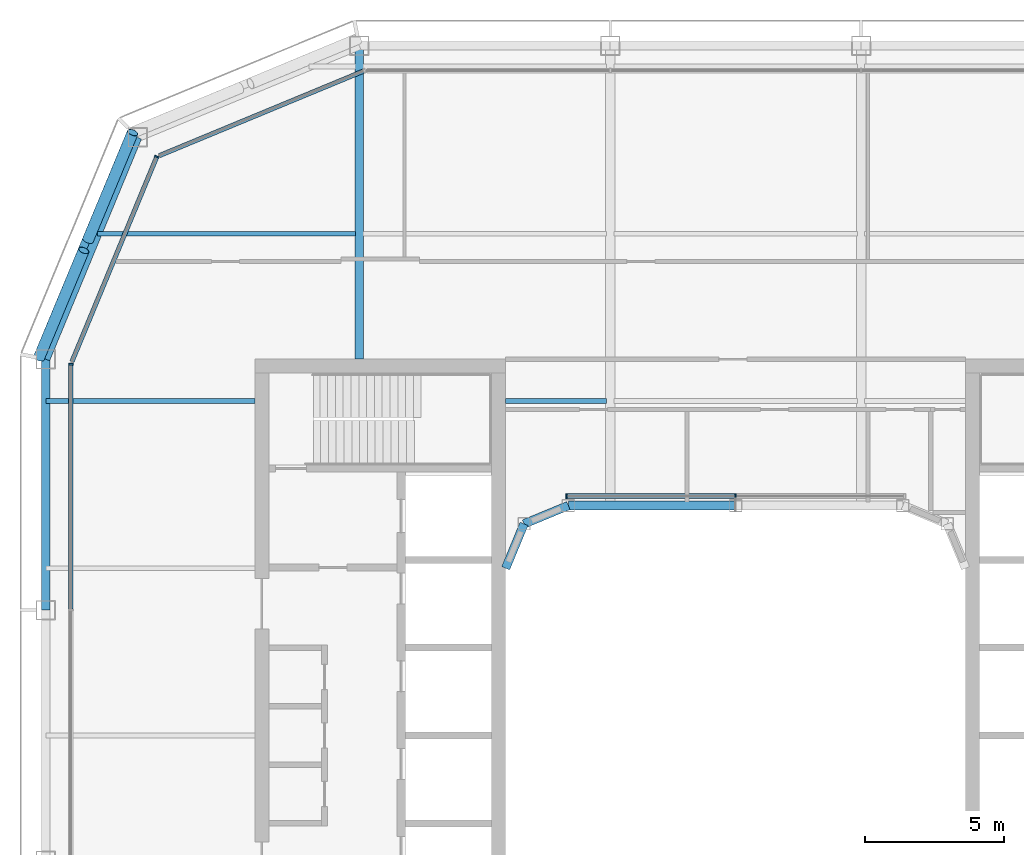
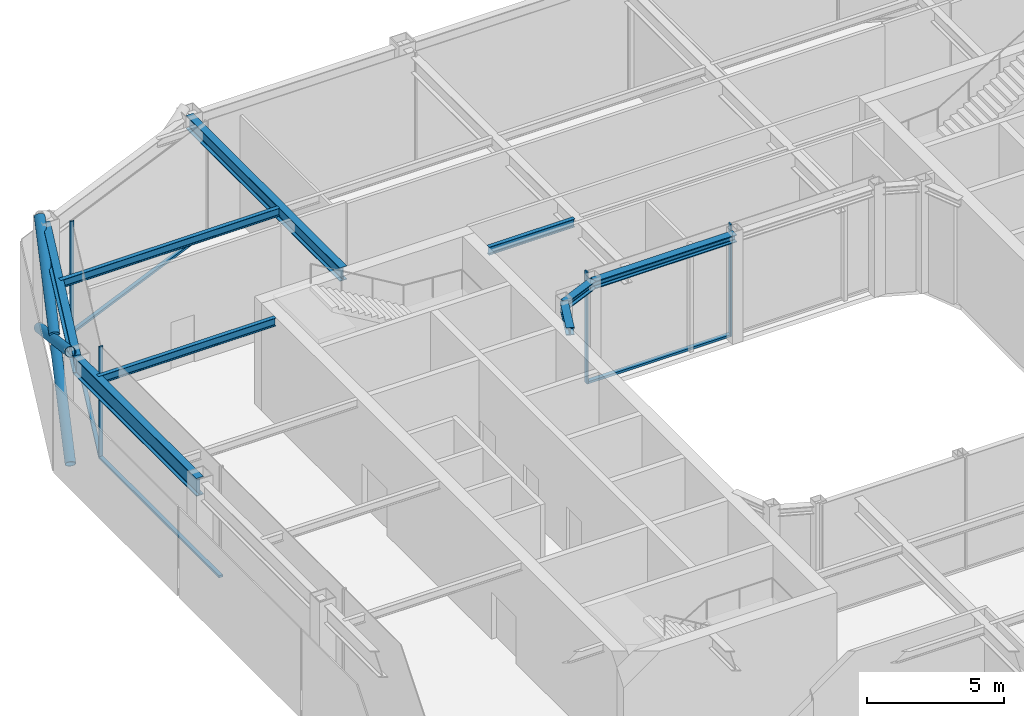
# One storey, part 7 of 17: 11 members, 9 beams, 4 elements without a shape of their own.
"""IFC4 building model written with IfcOpenShell, lengths in metres."""

from ifc_helpers import new_model, si_unit, direction, frame, origin, origin_2d, place, context, subcontext, project, spatial, rectangle, hollow_circle, i_section, extrude, material, layer, layer_set, material_profile, profile_set, type_object, element, aggregate, save


model = new_model("IFC4")

# Units and contexts
model_context = context("Model", 3, precision=1e-05, world=origin(), true_north=direction((0.0, 1.0)))
body_context = subcontext(model_context, "Body", "Model", "MODEL_VIEW")
ifc_project = project(units=[si_unit("LENGTHUNIT", "METRE"), si_unit("AREAUNIT", "SQUARE_METRE"), si_unit("VOLUMEUNIT", "CUBIC_METRE"), si_unit("PLANEANGLEUNIT", "RADIAN"), si_unit("MASSUNIT", "GRAM", prefix="KILO")], contexts=[model_context])

# Site, building, storey
site_placement = place(None, origin())
site = spatial("IfcSite", under=ifc_project, at=site_placement, CompositionType="ELEMENT")
building_placement = place(site_placement, origin())
building = spatial("IfcBuilding", under=site, at=building_placement, Name="Siwar Civic Tower", CompositionType="ELEMENT")
storey_placement = place(building_placement, frame((0.0, 0.0, 353.199951171875)))
storey = spatial("IfcBuildingStorey", under=building, at=storey_placement, Name="L76", CompositionType="ELEMENT", Elevation=353.199951171875)

# Curtain wall, member
ifc_material_1 = material(Name="Aluminium clad insulated panel", Category="aluminium")
ifc_layer_1 = layer(ifc_material_1, 0.159912109375)
ifc_layer_set_1 = layer_set([ifc_layer_1], Name="Aluminium clad insulated panel")
curtain_wall_type_1 = type_object("IfcCurtainWallType", Name="ENV-CW-DX", PredefinedType="NOTDEFINED", material=ifc_layer_set_1)
curtain_wall_1_placement = place(storey_placement, origin())
curtain_wall_1 = element("IfcCurtainWall", 1, at=curtain_wall_1_placement, inside=storey, type_object=curtain_wall_type_1, Name="Curtain wall D NW2", PredefinedType="NOTDEFINED")
ifc_material_2 = material(Name="Aluminium 6063-T6", Category="aluminium")
ifc_material_profile_1 = material_profile(ifc_material_2, rectangle(XDim=0.159912109375, YDim=0.06005859375, at=origin_2d()), Name="AL 160x60")
ifc_profile_set_1 = profile_set([ifc_material_profile_1], Name="Aluminium 6063-T6")
member_type_1 = type_object("IfcMemberType", Name="ENV-MULLION-D", PredefinedType="MULLION", material=ifc_profile_set_1)
member_1_placement = place(storey_placement, frame((-20.76611328125, 20.76611328125, 0.0), z_axis=(0.0, 0.0, 1.0), x_axis=(0.923879532511, -0.382683432365, 0.0)))
member_1 = element("IfcMember", 2, at=member_1_placement, type_object=member_type_1, Name="Mullion D NW2 1", PredefinedType="MULLION", context=body_context, shape_type="SweptSolid", body=[
    extrude(rectangle(XDim=0.159912109375, YDim=0.06005859375, at=origin_2d()), origin(), (0.0, 0.0, 1.0), 5.0),
])

ifc_material_3 = material(Name="Aluminium and glass", Category="aluminium")
ifc_layer_2 = layer(ifc_material_3, 0.159912109375)
ifc_layer_set_2 = layer_set([ifc_layer_2], Name="Aluminium and glass")
curtain_wall_type_2 = type_object("IfcCurtainWallType", Name="ENV-CW-D", PredefinedType="NOTDEFINED", material=ifc_layer_set_2)
curtain_wall_2_placement = place(storey_placement, origin())
curtain_wall_2 = element("IfcCurtainWall", 3, at=curtain_wall_2_placement, inside=storey, type_object=curtain_wall_type_2, Name="Curtain wall D W", PredefinedType="NOTDEFINED")
member_2_placement = place(storey_placement, frame((-23.85009765625, 13.321044921875, 0.0), z_axis=(0.0, 0.0, 1.0), x_axis=(1.0, 0.0, 0.0)))
member_2 = element("IfcMember", 4, at=member_2_placement, type_object=member_type_1, Name="Mullion D W 1", PredefinedType="MULLION", context=body_context, shape_type="SweptSolid", body=[
    extrude(rectangle(XDim=0.159912109375, YDim=0.06005859375, at=origin_2d()), origin(), (0.0, 0.0, 1.0), 5.0),
])

# Curtain wall, members
ifc_material_4 = material(Name="Aluminium and glass", Category="aluminium")
ifc_layer_3 = layer(ifc_material_4, 0.179931640625)
ifc_layer_set_3 = layer_set([ifc_layer_3], Name="Aluminium and glass")
curtain_wall_type_3 = type_object("IfcCurtainWallType", Name="ENV-CW-W", PredefinedType="NOTDEFINED", material=ifc_layer_set_3)
curtain_wall_3_placement = place(storey_placement, origin())
curtain_wall_3 = element("IfcCurtainWall", 5, at=curtain_wall_3_placement, inside=storey, type_object=curtain_wall_type_3, Name="Curtain wall W WN", PredefinedType="NOTDEFINED")
ifc_material_5 = material(Name="Aluminium 6063-T6", Category="aluminium")
ifc_material_profile_2 = material_profile(ifc_material_5, rectangle(XDim=0.179931640625, YDim=0.06005859375, at=origin_2d()), Name="AL 180x60")
ifc_profile_set_2 = profile_set([ifc_material_profile_2], Name="Aluminium 6063-T6")
member_type_2 = type_object("IfcMemberType", Name="ENV-MULLION-W", PredefinedType="MULLION", material=ifc_profile_set_2)
member_3_placement = place(storey_placement, frame((0.0, 8.5849609375, 0.0), z_axis=(0.0, 0.0, 1.0), x_axis=(0.0, -1.0, 0.0)))
member_3 = element("IfcMember", 6, at=member_3_placement, type_object=member_type_2, Name="Mullion W WN 2", PredefinedType="MULLION", context=body_context, shape_type="SweptSolid", body=[
    extrude(rectangle(XDim=0.179931640625, YDim=0.06005859375, at=origin_2d()), origin(), (0.0, 0.0, 1.0), 5.0),
])
member_4_placement = place(storey_placement, frame((-6.066650390625, 8.5849609375, 0.0), z_axis=(0.0, 0.0, 1.0), x_axis=(0.0, -1.0, 0.0)))
member_4 = element("IfcMember", 7, at=member_4_placement, type_object=member_type_2, Name="Mullion W WN 3", PredefinedType="MULLION", context=body_context, shape_type="SweptSolid", body=[
    extrude(rectangle(XDim=0.179931640625, YDim=0.06005859375, at=origin_2d()), origin(), (0.0, 0.0, 1.0), 5.0),
])

# Curtain wall, member
curtain_wall_4_placement = place(storey_placement, origin())
curtain_wall_4 = element("IfcCurtainWall", 8, at=curtain_wall_4_placement, inside=storey, type_object=curtain_wall_type_1, Name="Curtain wall D NW1", PredefinedType="NOTDEFINED")
ifc_material_6 = material(Name="Aluminium 6063-T6", Category="aluminium")
ifc_material_profile_3 = material_profile(ifc_material_6, rectangle(XDim=0.159912109375, YDim=0.10009765625, at=origin_2d()), Name="AL 160x100")
ifc_profile_set_3 = profile_set([ifc_material_profile_3], Name="Aluminium 6063-T6")
member_type_3 = type_object("IfcMemberType", Name="ENV-TRANSOM-D", PredefinedType="USERDEFINED", material=ifc_profile_set_3)
member_5_placement = place(storey_placement, frame((-13.3486328125, 23.838623046875, 0.050048828125), z_axis=(-0.923872756612, -0.382699790424, 0.0), x_axis=(0.382699790424, -0.923872756612, 0.0)))
member_5 = element("IfcMember", 9, at=member_5_placement, type_object=member_type_3, Name="Transom D NW1 1", ObjectType="TRANSOM", PredefinedType="USERDEFINED", context=body_context, shape_type="SweptSolid", body=[
    extrude(rectangle(XDim=0.159912109375, YDim=0.10009765625, at=origin_2d()), origin(), (0.0, 0.0, 1.0), 7.930908203125),
])
aggregate(curtain_wall_4, [member_5])

# Member
member_6_placement = place(storey_placement, frame((-20.777587890625, 20.738525390625, 0.050048828125), z_axis=(-0.382673515031, -0.923883640343, 0.0), x_axis=(0.923883640343, -0.382673515031, 0.0)))
member_6 = element("IfcMember", 10, at=member_6_placement, type_object=member_type_3, Name="Transom D NW2 1", ObjectType="TRANSOM", PredefinedType="USERDEFINED", context=body_context, shape_type="SweptSolid", body=[
    extrude(rectangle(XDim=0.159912109375, YDim=0.10009765625, at=origin_2d()), origin(), (0.0, 0.0, 1.0), 7.930908203125),
])

aggregate(curtain_wall_1, [member_1, member_6])

member_7_placement = place(storey_placement, frame((-23.85009765625, 13.291015625, 0.050048828125), z_axis=(0.0, -1.0, 0.0), x_axis=(1.0, 0.0, 0.0)))
member_7 = element("IfcMember", 11, at=member_7_placement, type_object=member_type_3, Name="Transom D W 1", ObjectType="TRANSOM", PredefinedType="USERDEFINED", context=body_context, shape_type="SweptSolid", body=[
    extrude(rectangle(XDim=0.159912109375, YDim=0.10009765625, at=origin_2d()), origin(), (0.0, 0.0, 1.0), 8.760986328125),
])

aggregate(curtain_wall_2, [member_2, member_7])

ifc_material_7 = material(Name="Aluminium 6063-T6", Category="aluminium")
ifc_material_profile_4 = material_profile(ifc_material_7, rectangle(XDim=0.179931640625, YDim=0.10009765625, at=origin_2d()), Name="AL 180x100")
ifc_profile_set_4 = profile_set([ifc_material_profile_4], Name="Aluminium 6063-T6")
member_type_4 = type_object("IfcMemberType", Name="ENV-TRANSOM-W", PredefinedType="USERDEFINED", material=ifc_profile_set_4)
member_8_placement = place(storey_placement, frame((-0.030029296875, 8.5849609375, 0.050048828125), z_axis=(-1.0, 0.0, 0.0), x_axis=(0.0, -1.0, 0.0)))
member_8 = element("IfcMember", 12, at=member_8_placement, type_object=member_type_4, Name="Transom W WN 2", ObjectType="TRANSOM", PredefinedType="USERDEFINED", context=body_context, shape_type="SweptSolid", body=[
    extrude(rectangle(XDim=0.179931640625, YDim=0.10009765625, at=origin_2d()), origin(), (0.0, 0.0, 1.0), 6.006591796875),
])

aggregate(curtain_wall_3, [member_3, member_4, member_8])

# Members
ifc_material_8 = material(Name="Steel S355", Category="steel")
ifc_material_profile_5 = material_profile(ifc_material_8, hollow_circle(Radius=0.203125, WallThickness=0.01611328125, at=origin_2d()), Name="CHS406.4x16")
ifc_profile_set_5 = profile_set([ifc_material_profile_5], Name="Steel S355")
member_type_5 = type_object("IfcMemberType", Name="STR-BR-CHS406.4x16", PredefinedType="BRACE", material=ifc_profile_set_5)
member_9_placement = place(storey_placement, frame((-21.6318359375, 21.6318359375, 0.0), z_axis=(-0.333592743807, -0.801726811989, 0.495933463499), x_axis=(0.923264922524, -0.384163874976, 0.0)))
element("IfcMember", 13, at=member_9_placement, inside=storey, type_object=member_type_5, Name="L76/brc/DNW1-15-0-1", PredefinedType="BRACE", context=body_context, shape_type="SweptSolid", body=[
    extrude(hollow_circle(Radius=0.203125, WallThickness=0.01611328125, at=origin_2d()), origin(), (0.0, 0.0, 1.0), 10.08203125),
])
for number, where, z_axis, x_axis, name in (
    (14, (-24.9951171875, 13.548828125, 0.0), (0.333625253508, 0.80170559549, 0.495945892595), (-0.923248036946, 0.384204453742, 0.0), "L76/brc/DNW1-15-0-2"),
    (15, (-23.236328125, 17.775390625, 2.614501953125), (0.333566570839, 0.801737302644, 0.495934108897), (-0.923277395422, 0.384133897361, 0.0), "L76/brc/DNW1-15-0-3"),
):
    element("IfcMember", number, at=place(storey_placement, frame(where, z_axis=z_axis, x_axis=x_axis)), inside=storey, type_object=member_type_5, Name=name, PredefinedType="BRACE", context=body_context, shape_type="SweptSolid", body=[
        extrude(hollow_circle(Radius=0.203125, WallThickness=0.01611328125, at=origin_2d()), origin(), (0.0, 0.0, 1.0), 4.81005859375),
    ])

# Beams
ifc_material_9 = material(Name="Steel S355", Category="steel")
ifc_material_profile_6 = material_profile(ifc_material_9, i_section(OverallWidth=0.169921875, OverallDepth=0.360107421875, WebThickness=0.008056640625, FlangeThickness=0.0126953125, FilletRadius=0.01806640625, at=origin_2d()), Name="IPE360")
ifc_profile_set_6 = profile_set([ifc_material_profile_6], Name="Steel S355")
beam_type_1 = type_object("IfcBeamType", Name="STR-FB-IPE360", PredefinedType="JOIST", material=ifc_profile_set_6)
beam_1_placement = place(storey_placement, frame((-24.75, 12.0, 4.6201171875), z_axis=(1.0, 0.0, 0.0), x_axis=(0.0, 1.0, 0.0)))
element("IfcBeam", 16, at=beam_1_placement, inside=storey, type_object=beam_type_1, Name="L76/bm/F022", PredefinedType="JOIST", context=body_context, shape_type="SweptSolid", body=[
    extrude(i_section(OverallWidth=0.169921875, OverallDepth=0.360107421875, WebThickness=0.008056640625, FlangeThickness=0.0126953125, FilletRadius=0.01806640625, at=origin_2d()), origin(), (0.0, 0.0, 1.0), 7.5),
])
beam_2_placement = place(storey_placement, frame((-8.25, 12.0, 4.6201171875), z_axis=(1.0, 0.0, 0.0), x_axis=(0.0, 1.0, 0.0)))
element("IfcBeam", 17, at=beam_2_placement, inside=storey, type_object=beam_type_1, Name="L76/bm/F023", PredefinedType="JOIST", context=body_context, shape_type="SweptSolid", body=[
    extrude(i_section(OverallWidth=0.169921875, OverallDepth=0.360107421875, WebThickness=0.008056640625, FlangeThickness=0.0126953125, FilletRadius=0.01806640625, at=origin_2d()), origin(), (0.0, 0.0, 1.0), 3.6201171875),
])
beam_3_placement = place(storey_placement, frame((-22.885986328125, 18.0, 4.6201171875), z_axis=(1.0, 0.0, 0.0), x_axis=(0.0, 1.0, 0.0)))
element("IfcBeam", 18, at=beam_3_placement, inside=storey, type_object=beam_type_1, Name="L76/bm/F027", PredefinedType="JOIST", context=body_context, shape_type="SweptSolid", body=[
    extrude(i_section(OverallWidth=0.169921875, OverallDepth=0.360107421875, WebThickness=0.008056640625, FlangeThickness=0.0126953125, FilletRadius=0.01806640625, at=origin_2d()), origin(), (0.0, 0.0, 1.0), 9.256103515625),
])
ifc_material_10 = material(Name="Steel S355", Category="steel")
ifc_material_profile_7 = material_profile(ifc_material_10, i_section(OverallWidth=0.300048828125, OverallDepth=0.60009765625, WebThickness=0.015380859375, FlangeThickness=0.030029296875, FilletRadius=0.027099609375, at=origin_2d()), Name="HEB600")
ifc_profile_set_7 = profile_set([ifc_material_profile_7], Name="Steel S355")
beam_type_2 = type_object("IfcBeamType", Name="STR-PG-HEB600", PredefinedType="BEAM", material=ifc_profile_set_7)
beam_4_placement = place(storey_placement, frame((-13.5, 13.5, 4.5), z_axis=(0.0, 1.0, 0.0), x_axis=(-1.0, 0.0, 0.0)))
element("IfcBeam", 19, at=beam_4_placement, inside=storey, type_object=beam_type_2, Name="L76/bm/G02", PredefinedType="BEAM", context=body_context, shape_type="SweptSolid", body=[
    extrude(i_section(OverallWidth=0.300048828125, OverallDepth=0.60009765625, WebThickness=0.015380859375, FlangeThickness=0.030029296875, FilletRadius=0.027099609375, at=origin_2d()), origin(), (0.0, 0.0, 1.0), 11.25),
])
ifc_material_11 = material(Name="Steel S355", Category="steel")
ifc_material_profile_8 = material_profile(ifc_material_11, i_section(OverallWidth=0.31005859375, OverallDepth=0.340087890625, WebThickness=0.02099609375, FlangeThickness=0.0390625, FilletRadius=0.027099609375, at=origin_2d()), Name="HEM300")
ifc_profile_set_8 = profile_set([ifc_material_profile_8], Name="Steel S355")
beam_type_3 = type_object("IfcBeamType", Name="STR-RB-HEM300", PredefinedType="BEAM", material=ifc_profile_set_8)
beam_5_placement = place(storey_placement, frame((-7.591064453125, 7.591064453125, 4.630126953125), z_axis=(0.923901072997, 0.382631424892, 0.0), x_axis=(-0.382631424892, 0.923901072997, 0.0)))
element("IfcBeam", 20, at=beam_5_placement, inside=storey, type_object=beam_type_3, Name="L76/bm/RN0", PredefinedType="BEAM", context=body_context, shape_type="SweptSolid", body=[
    extrude(i_section(OverallWidth=0.31005859375, OverallDepth=0.340087890625, WebThickness=0.02099609375, FlangeThickness=0.0390625, FilletRadius=0.027099609375, at=origin_2d()), origin(), (0.0, 0.0, 1.0), 1.72216796875),
])
beam_6_placement = place(storey_placement, frame((-6.0, 8.25, 4.630126953125), z_axis=(1.0, 0.0, 0.0), x_axis=(0.0, 1.0, 0.0)))
element("IfcBeam", 21, at=beam_6_placement, inside=storey, type_object=beam_type_3, Name="L76/bm/RN1", PredefinedType="BEAM", context=body_context, shape_type="SweptSolid", body=[
    extrude(i_section(OverallWidth=0.31005859375, OverallDepth=0.340087890625, WebThickness=0.02099609375, FlangeThickness=0.0390625, FilletRadius=0.027099609375, at=origin_2d()), origin(), (0.0, 0.0, 1.0), 6.0),
])
beam_7_placement = place(storey_placement, frame((-7.591064453125, 7.591064453125, 4.630126953125), z_axis=(-0.382631424892, -0.923901072997, 0.0), x_axis=(0.923901072997, -0.382631424892, 0.0)))
element("IfcBeam", 22, at=beam_7_placement, inside=storey, type_object=beam_type_3, Name="L76/bm/RNEW", PredefinedType="BEAM", context=body_context, shape_type="SweptSolid", body=[
    extrude(i_section(OverallWidth=0.31005859375, OverallDepth=0.340087890625, WebThickness=0.02099609375, FlangeThickness=0.0390625, FilletRadius=0.027099609375, at=origin_2d()), origin(), (0.0, 0.0, 1.0), 1.72216796875),
])
ifc_material_12 = material(Name="Steel S355", Category="steel")
ifc_material_profile_9 = material_profile(ifc_material_12, i_section(OverallWidth=0.300048828125, OverallDepth=0.800048828125, WebThickness=0.017578125, FlangeThickness=0.032958984375, FilletRadius=0.030029296875, at=origin_2d()), Name="HEB800")
ifc_profile_set_9 = profile_set([ifc_material_profile_9], Name="Steel S355")
beam_type_4 = type_object("IfcBeamType", Name="STR-SB-HEB800", PredefinedType="BEAM", material=ifc_profile_set_9)
beam_8_placement = place(storey_placement, frame((-21.454833984375, 21.454833984375, 4.400146484375), z_axis=(-0.382699877515, -0.923872720536, 0.0), x_axis=(0.923872720536, -0.382699877515, 0.0)))
element("IfcBeam", 23, at=beam_8_placement, inside=storey, type_object=beam_type_4, Name="L76/bm/SNW2-0", PredefinedType="BEAM", context=body_context, shape_type="SweptSolid", body=[
    extrude(i_section(OverallWidth=0.300048828125, OverallDepth=0.800048828125, WebThickness=0.017578125, FlangeThickness=0.032958984375, FilletRadius=0.030029296875, at=origin_2d()), origin(), (0.0, 0.0, 1.0), 8.6103515625),
])
beam_9_placement = place(storey_placement, frame((-24.75, 13.5, 4.400146484375), z_axis=(0.0, -1.0, 0.0), x_axis=(1.0, 0.0, 0.0)))
element("IfcBeam", 24, at=beam_9_placement, inside=storey, type_object=beam_type_4, Name="L76/bm/SW-0", PredefinedType="BEAM", context=body_context, shape_type="SweptSolid", body=[
    extrude(i_section(OverallWidth=0.300048828125, OverallDepth=0.800048828125, WebThickness=0.017578125, FlangeThickness=0.032958984375, FilletRadius=0.030029296875, at=origin_2d()), origin(), (0.0, 0.0, 1.0), 9.0),
])

save(model, "model.ifc")
